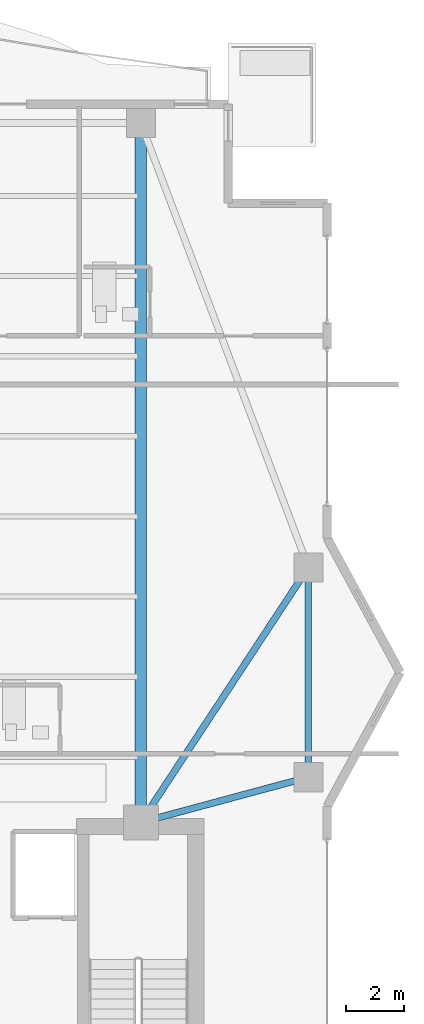
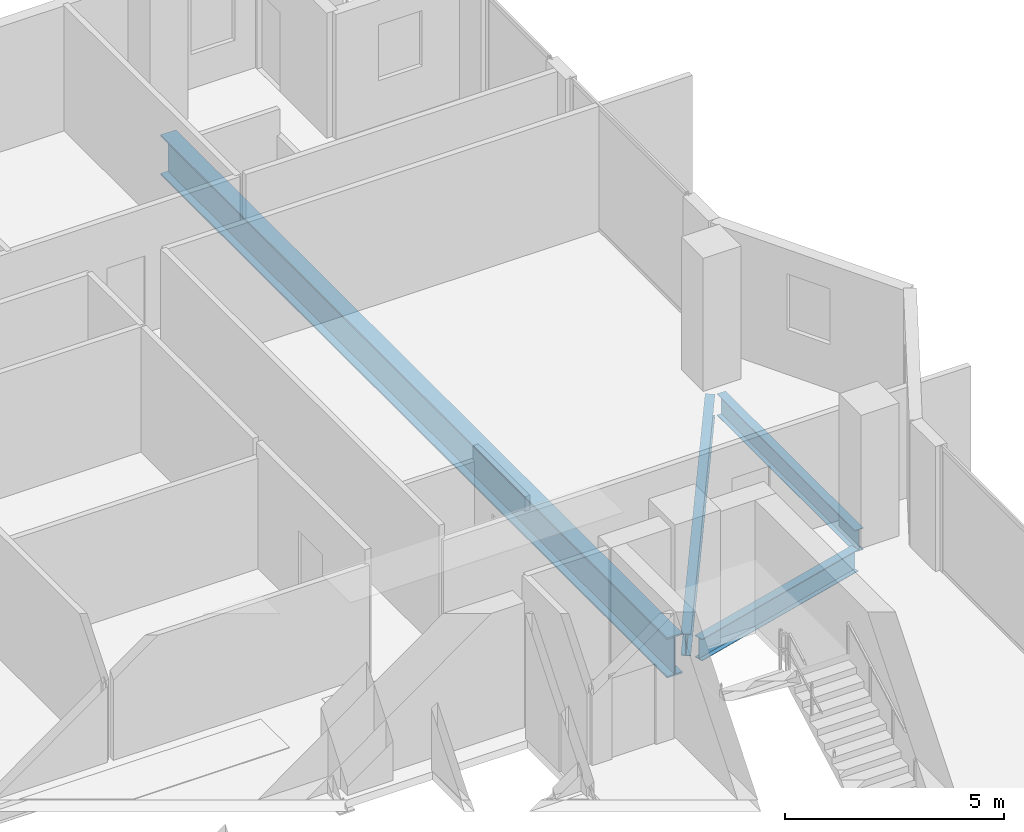
# One storey, part 9 of 23: 4 beams.
"""IFC4 building model written with IfcOpenShell, lengths in metres."""

from ifc_helpers import new_model, si_unit, direction, frame, origin, origin_2d, place, context, subcontext, project, spatial, i_section, extrude, material, material_profile, profile_set, type_object, element, save


model = new_model("IFC4")

# Units and contexts
model_context = context("Model", 3, precision=1e-05, world=origin(), true_north=direction((0.0, 1.0)))
body_context = subcontext(model_context, "Body", "Model", "MODEL_VIEW")
ifc_project = project(units=[si_unit("LENGTHUNIT", "METRE"), si_unit("AREAUNIT", "SQUARE_METRE"), si_unit("VOLUMEUNIT", "CUBIC_METRE"), si_unit("PLANEANGLEUNIT", "RADIAN"), si_unit("MASSUNIT", "GRAM", prefix="KILO")], contexts=[model_context])

# Site, building, storey
site_placement = place(None, origin())
site = spatial("IfcSite", under=ifc_project, at=site_placement, CompositionType="ELEMENT")
building_placement = place(site_placement, origin())
building = spatial("IfcBuilding", under=site, at=building_placement, Name="Zuhayl Quay Hotel", CompositionType="ELEMENT")
storey_placement = place(building_placement, frame((0.0, 0.0, 261.85009765625)))
storey = spatial("IfcBuildingStorey", under=building, at=storey_placement, Name="L66", CompositionType="ELEMENT", Elevation=261.85009765625)

# Beams
ifc_material_1 = material(Name="Steel ASTM A992 Grade 50", Category="steel")
ifc_material_profile_1 = material_profile(ifc_material_1, i_section(OverallWidth=0.22802734375, OverallDepth=0.60693359375, WebThickness=0.01123046875, FlangeThickness=0.017333984375, at=origin_2d()), Name="W24X76")
ifc_profile_set_1 = profile_set([ifc_material_profile_1], Name="Steel ASTM A992 Grade 50")
beam_type_1 = type_object("IfcBeamType", Name="BM_B3_W24X76", PredefinedType="BEAM", material=ifc_profile_set_1)
beam_1_placement = place(storey_placement, frame((19.550048828125, 16.360107421875, -0.523681640625), z_axis=(0.0, 1.0, 0.0), x_axis=(-1.0, 0.0, 0.0)))
element("IfcBeam", 1, at=beam_1_placement, inside=storey, type_object=beam_type_1, Name="L66 Floor Beam RG_L66_05", PredefinedType="BEAM", context=body_context, shape_type="SweptSolid", body=[
    extrude(i_section(OverallWidth=0.22802734375, OverallDepth=0.60693359375, WebThickness=0.01123046875, FlangeThickness=0.017333984375, at=origin_2d()), origin(), (0.0, 0.0, 1.0), 6.27978515625),
])
beam_2_placement = place(storey_placement, frame((14.234619140625, 14.467041015625, -0.523681640625), z_axis=(0.965530205773, 0.26029103277, 0.0), x_axis=(-0.26029103277, 0.965530205773, 0.0)))
element("IfcBeam", 2, at=beam_2_placement, inside=storey, type_object=beam_type_1, Name="L66 Floor Beam FG_E_L66_1", PredefinedType="BEAM", context=body_context, shape_type="SweptSolid", body=[
    extrude(i_section(OverallWidth=0.22802734375, OverallDepth=0.60693359375, WebThickness=0.01123046875, FlangeThickness=0.017333984375, at=origin_2d()), origin(), (0.0, 0.0, 1.0), 5.045166015625),
])
beam_3_placement = place(storey_placement, frame((14.047119140625, 14.72607421875, -0.523681640625), z_axis=(0.549177886661, 0.835705479701, 0.0), x_axis=(-0.835705479701, 0.549177886661, 0.0)))
element("IfcBeam", 3, at=beam_3_placement, inside=storey, type_object=beam_type_1, Name="L66 Floor Beam FG_E_L66_2", PredefinedType="BEAM", context=body_context, shape_type="SweptSolid", body=[
    extrude(i_section(OverallWidth=0.22802734375, OverallDepth=0.60693359375, WebThickness=0.01123046875, FlangeThickness=0.017333984375, at=origin_2d()), origin(), (0.0, 0.0, 1.0), 9.560302734375),
])
ifc_material_2 = material(Name="Steel ASTM A913 Grade 65", Category="steel")
ifc_material_profile_2 = material_profile(ifc_material_2, i_section(OverallWidth=0.404052734375, OverallDepth=1.117919921875, WebThickness=0.026123046875, FlangeThickness=0.044921875, at=origin_2d()), Name="W44X335")
ifc_profile_set_2 = profile_set([ifc_material_profile_2], Name="Steel ASTM A913 Grade 65")
beam_type_2 = type_object("IfcBeamType", Name="BM_TG1_W44X335", PredefinedType="BEAM", material=ifc_profile_set_2)
beam_4_placement = place(storey_placement, frame((13.800048828125, 14.800048828125, -0.779052734375), z_axis=(0.0, 1.0, 0.0), x_axis=(-1.0, 0.0, 0.0)))
element("IfcBeam", 4, at=beam_4_placement, inside=storey, type_object=beam_type_2, Name="L66 Floor Beam FG_N_L66_4", PredefinedType="BEAM", context=body_context, shape_type="SweptSolid", body=[
    extrude(i_section(OverallWidth=0.404052734375, OverallDepth=1.117919921875, WebThickness=0.026123046875, FlangeThickness=0.044921875, at=origin_2d()), origin(), (0.0, 0.0, 1.0), 23.08984375),
])

save(model, "model.ifc")
